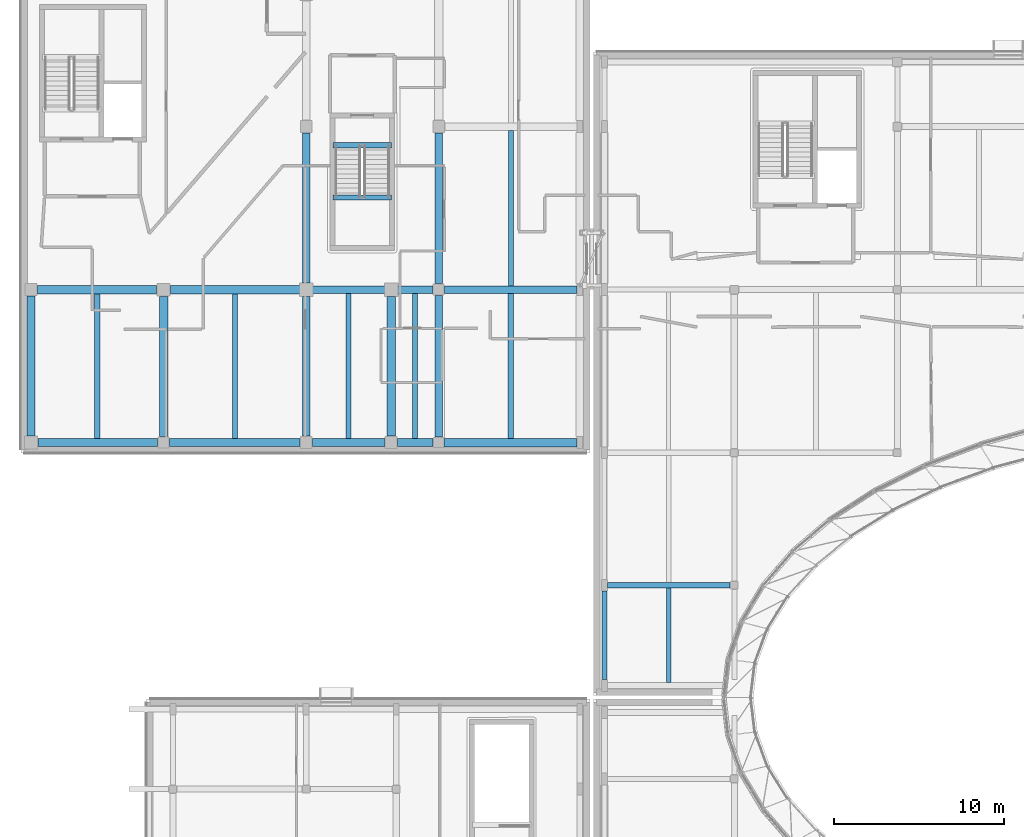
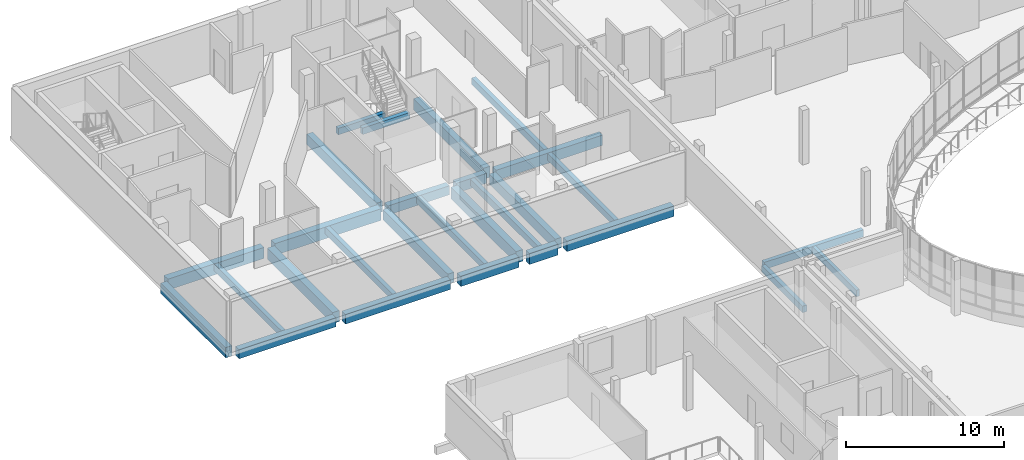
# One storey, part 19 of 73: 28 beams.
"""IFC4 building model written with IfcOpenShell, lengths in metres."""

from ifc_helpers import new_model, si_unit, direction, frame, origin, origin_2d, place, context, subcontext, project, spatial, rectangle, extrude, material, material_profile, profile_set, type_object, element, save


model = new_model("IFC4")

# Units and contexts
model_context = context("Model", 3, precision=1e-05, world=origin(), true_north=direction((0.0, 1.0)))
body_context = subcontext(model_context, "Body", "Model", "MODEL_VIEW")
ifc_project = project(units=[si_unit("LENGTHUNIT", "METRE"), si_unit("AREAUNIT", "SQUARE_METRE"), si_unit("VOLUMEUNIT", "CUBIC_METRE"), si_unit("PLANEANGLEUNIT", "RADIAN"), si_unit("MASSUNIT", "GRAM", prefix="KILO")], contexts=[model_context])

# Site, building, storey
site_placement = place(None, origin())
site = spatial("IfcSite", under=ifc_project, at=site_placement, CompositionType="ELEMENT")
building_placement = place(site_placement, origin())
building = spatial("IfcBuilding", under=site, at=building_placement, Name="Mzevani Central Library", CompositionType="ELEMENT")
storey_placement = place(building_placement, frame((0.0, 0.0, 9.60009765625)))
storey = spatial("IfcBuildingStorey", under=building, at=storey_placement, Name="L02", CompositionType="ELEMENT", Elevation=9.60009765625)

# Beams
ifc_material_1 = material(Name="Concrete C35/45", Category="concrete")
ifc_material_profile_1 = material_profile(ifc_material_1, rectangle(XDim=0.300048828125, YDim=0.5, at=origin_2d()), Name="RC B300x500")
ifc_profile_set_1 = profile_set([ifc_material_profile_1], Name="Concrete C35/45")
beam_type_1 = type_object("IfcBeamType", Name="Beam RC 300x500", PredefinedType="BEAM", material=ifc_profile_set_1)
beam_1_placement = place(storey_placement, frame((46.75, 77.050048828125, -0.530029296875), z_axis=(0.0, 1.0, 0.0), x_axis=(-1.0, 0.0, 0.0)))
element("IfcBeam", 1, at=beam_1_placement, inside=storey, type_object=beam_type_1, Name="L02 V3 Frame Beam B-01 (588)", PredefinedType="BEAM", context=body_context, shape_type="SweptSolid", body=[
    extrude(rectangle(XDim=0.300048828125, YDim=0.5, at=origin_2d()), origin(), (0.0, 0.0, 1.0), 5.199951171875),
])
for number, where, z_axis, x_axis, name in (
    (2, (30.780029296875, 105.419921875, 1.64990234375), (1.0, 0.0, 0.0), (0.0, 1.0, 0.0), "L02 Core C2B Stacks East Escape Stair Stair Landing Beam 1"),
    (3, (30.780029296875, 108.5, -0.25), (1.0, 0.0, 0.0), (0.0, 1.0, 0.0), "L02 Core C2B Stacks East Escape Stair Stair Opening Trimmer Beam"),
):
    element("IfcBeam", number, at=place(storey_placement, frame(where, z_axis=z_axis, x_axis=x_axis)), inside=storey, type_object=beam_type_1, Name=name, PredefinedType="BEAM", context=body_context, shape_type="SweptSolid", body=[
        extrude(rectangle(XDim=0.300048828125, YDim=0.5, at=origin_2d()), origin(), (0.0, 0.0, 1.0), 3.43994140625),
    ])
ifc_material_profile_2 = material_profile(ifc_material_1, rectangle(XDim=0.300048828125, YDim=0.550048828125, at=origin_2d()), Name="RC B300x550")
ifc_profile_set_2 = profile_set([ifc_material_profile_2], Name="Concrete C35/45")
beam_type_2 = type_object("IfcBeamType", Name="Beam RC 300x550", PredefinedType="BEAM", material=ifc_profile_set_2)
beam_2_placement = place(storey_placement, frame((46.925048828125, 82.60009765625, -0.55517578125), z_axis=(1.0, 0.0, 0.0), x_axis=(0.0, 1.0, 0.0)))
element("IfcBeam", 4, at=beam_2_placement, inside=storey, type_object=beam_type_2, Name="L02 V3 Girder B-02 (557)", PredefinedType="BEAM", context=body_context, shape_type="SweptSolid", body=[
    extrude(rectangle(XDim=0.300048828125, YDim=0.550048828125, at=origin_2d()), origin(), (0.0, 0.0, 1.0), 7.224853515625),
])
ifc_material_profile_3 = material_profile(ifc_material_1, rectangle(XDim=0.25, YDim=0.5, at=origin_2d()), Name="RC J250x500")
ifc_profile_set_3 = profile_set([ifc_material_profile_3], Name="Concrete C35/45")
beam_type_3 = type_object("IfcBeamType", Name="Floor Joist RC 250x500", PredefinedType="JOIST", material=ifc_profile_set_3)
beam_3_placement = place(storey_placement, frame((50.53759765625, 76.875, -0.530029296875), z_axis=(0.0, 1.0, 0.0), x_axis=(-1.0, 0.0, 0.0)))
element("IfcBeam", 5, at=beam_3_placement, inside=storey, type_object=beam_type_3, Name="L02 V3 Floor Joist BJ-02 (619)", PredefinedType="JOIST", context=body_context, shape_type="SweptSolid", body=[
    extrude(rectangle(XDim=0.25, YDim=0.5, at=origin_2d()), origin(), (0.0, 0.0, 1.0), 5.574951171875),
])
ifc_material_2 = material(Name="Concrete C40/50", Category="concrete")
ifc_material_profile_4 = material_profile(ifc_material_2, rectangle(XDim=0.449951171875, YDim=0.699951171875, at=origin_2d()), Name="RC B450x700")
ifc_profile_set_4 = profile_set([ifc_material_profile_4], Name="Concrete C40/50")
beam_type_4 = type_object("IfcBeamType", Name="Stack Girder RC 450x700", PredefinedType="BEAM", material=ifc_profile_set_4)
beam_4_placement = place(storey_placement, frame((13.39990234375, 91.0, -0.670166015625), z_axis=(1.0, 0.0, 0.0), x_axis=(0.0, 1.0, 0.0)))
element("IfcBeam", 6, at=beam_4_placement, inside=storey, type_object=beam_type_4, Name="L02 V2 Girder BG-01 (287)", PredefinedType="BEAM", context=body_context, shape_type="SweptSolid", body=[
    extrude(rectangle(XDim=0.449951171875, YDim=0.699951171875, at=origin_2d()), origin(), (0.0, 0.0, 1.0), 7.050048828125),
])
beam_5_placement = place(storey_placement, frame((29.449951171875, 100.0, -0.670166015625), z_axis=(1.0, 0.0, 0.0), x_axis=(0.0, 1.0, 0.0)))
element("IfcBeam", 7, at=beam_5_placement, inside=storey, type_object=beam_type_4, Name="L02 V2 Girder BG-01 (294)", PredefinedType="BEAM", context=body_context, shape_type="SweptSolid", body=[
    extrude(rectangle(XDim=0.449951171875, YDim=0.699951171875, at=origin_2d()), origin(), (0.0, 0.0, 1.0), 4.5),
])
ifc_material_profile_5 = material_profile(ifc_material_2, rectangle(XDim=0.449951171875, YDim=0.75, at=origin_2d()), Name="RC B450x750")
ifc_profile_set_5 = profile_set([ifc_material_profile_5], Name="Concrete C40/50")
beam_type_5 = type_object("IfcBeamType", Name="Stack Girder RC 450x750", PredefinedType="BEAM", material=ifc_profile_set_5)
beam_6_placement = place(storey_placement, frame((21.14990234375, 91.0, -0.695068359375), z_axis=(1.0, 0.0, 0.0), x_axis=(0.0, 1.0, 0.0)))
element("IfcBeam", 8, at=beam_6_placement, inside=storey, type_object=beam_type_5, Name="L02 V2 Girder BG-02 (288)", PredefinedType="BEAM", context=body_context, shape_type="SweptSolid", body=[
    extrude(rectangle(XDim=0.449951171875, YDim=0.75, at=origin_2d()), origin(), (0.0, 0.0, 1.0), 7.675048828125),
])
beam_7_placement = place(storey_placement, frame((34.449951171875, 100.0, -0.695068359375), z_axis=(1.0, 0.0, 0.0), x_axis=(0.0, 1.0, 0.0)))
element("IfcBeam", 9, at=beam_7_placement, inside=storey, type_object=beam_type_5, Name="L02 V2 Girder BG-02 (295)", PredefinedType="BEAM", context=body_context, shape_type="SweptSolid", body=[
    extrude(rectangle(XDim=0.449951171875, YDim=0.75, at=origin_2d()), origin(), (0.0, 0.0, 1.0), 2.199951171875),
])
beam_8_placement = place(storey_placement, frame((29.199951171875, 91.375, -0.695068359375), z_axis=(0.0, 1.0, 0.0), x_axis=(-1.0, 0.0, 0.0)))
element("IfcBeam", 10, at=beam_8_placement, inside=storey, type_object=beam_type_5, Name="L02 V2 Frame Beam BG-02 (309)", PredefinedType="BEAM", context=body_context, shape_type="SweptSolid", body=[
    extrude(rectangle(XDim=0.449951171875, YDim=0.75, at=origin_2d()), origin(), (0.0, 0.0, 1.0), 8.22509765625),
])
ifc_material_profile_6 = material_profile(ifc_material_2, rectangle(XDim=0.449951171875, YDim=0.800048828125, at=origin_2d()), Name="RC B450x800")
ifc_profile_set_6 = profile_set([ifc_material_profile_6], Name="Concrete C40/50")
beam_type_6 = type_object("IfcBeamType", Name="Stack Girder RC 450x800", PredefinedType="BEAM", material=ifc_profile_set_6)
beam_9_placement = place(storey_placement, frame((29.574951171875, 91.0, -0.72021484375), z_axis=(1.0, 0.0, 0.0), x_axis=(0.0, 1.0, 0.0)))
element("IfcBeam", 11, at=beam_9_placement, inside=storey, type_object=beam_type_6, Name="L02 V2 Girder BG-03 (289)", PredefinedType="BEAM", context=body_context, shape_type="SweptSolid", body=[
    extrude(rectangle(XDim=0.449951171875, YDim=0.800048828125, at=origin_2d()), origin(), (0.0, 0.0, 1.0), 4.25),
])
beam_10_placement = place(storey_placement, frame((37.35009765625, 100.0, -0.72021484375), z_axis=(1.0, 0.0, 0.0), x_axis=(0.0, 1.0, 0.0)))
element("IfcBeam", 12, at=beam_10_placement, inside=storey, type_object=beam_type_6, Name="L02 V2 Girder BG-03 (296)", PredefinedType="BEAM", context=body_context, shape_type="SweptSolid", body=[
    extrude(rectangle(XDim=0.449951171875, YDim=0.800048828125, at=origin_2d()), origin(), (0.0, 0.0, 1.0), 7.77490234375),
])
beam_11_placement = place(storey_placement, frame((13.0, 91.39990234375, -0.72021484375), z_axis=(0.0, 1.0, 0.0), x_axis=(-1.0, 0.0, 0.0)))
element("IfcBeam", 13, at=beam_11_placement, inside=storey, type_object=beam_type_6, Name="L02 V2 Frame Beam BG-03 (303)", PredefinedType="BEAM", context=body_context, shape_type="SweptSolid", body=[
    extrude(rectangle(XDim=0.449951171875, YDim=0.800048828125, at=origin_2d()), origin(), (0.0, 0.0, 1.0), 8.22509765625),
])
beam_12_placement = place(storey_placement, frame((29.199951171875, 100.39990234375, -0.72021484375), z_axis=(0.0, 1.0, 0.0), x_axis=(-1.0, 0.0, 0.0)))
element("IfcBeam", 14, at=beam_12_placement, inside=storey, type_object=beam_type_6, Name="L02 V2 Frame Beam BG-03 (310)", PredefinedType="BEAM", context=body_context, shape_type="SweptSolid", body=[
    extrude(rectangle(XDim=0.449951171875, YDim=0.800048828125, at=origin_2d()), origin(), (0.0, 0.0, 1.0), 8.8251953125),
])
beam_13_placement = place(storey_placement, frame((37.0, 91.324951171875, -0.72021484375), z_axis=(0.0, 1.0, 0.0), x_axis=(-1.0, 0.0, 0.0)))
element("IfcBeam", 15, at=beam_13_placement, inside=storey, type_object=beam_type_6, Name="L02 V2 Frame Beam BG-03 (317)", PredefinedType="BEAM", context=body_context, shape_type="SweptSolid", body=[
    extrude(rectangle(XDim=0.449951171875, YDim=0.800048828125, at=origin_2d()), origin(), (0.0, 0.0, 1.0), 8.324951171875),
])
ifc_material_profile_7 = material_profile(ifc_material_2, rectangle(XDim=0.449951171875, YDim=0.85009765625, at=origin_2d()), Name="RC B450x850")
ifc_profile_set_7 = profile_set([ifc_material_profile_7], Name="Concrete C40/50")
beam_type_7 = type_object("IfcBeamType", Name="Stack Girder RC 450x850", PredefinedType="BEAM", material=ifc_profile_set_7)
beam_14_placement = place(storey_placement, frame((34.574951171875, 91.0, -0.7451171875), z_axis=(1.0, 0.0, 0.0), x_axis=(0.0, 1.0, 0.0)))
element("IfcBeam", 16, at=beam_14_placement, inside=storey, type_object=beam_type_7, Name="L02 V2 Girder BG-04 (290)", PredefinedType="BEAM", context=body_context, shape_type="SweptSolid", body=[
    extrude(rectangle(XDim=0.449951171875, YDim=0.85009765625, at=origin_2d()), origin(), (0.0, 0.0, 1.0), 2.10009765625),
])
beam_15_placement = place(storey_placement, frame((37.0, 100.35009765625, -0.7451171875), z_axis=(0.0, 1.0, 0.0), x_axis=(-1.0, 0.0, 0.0)))
element("IfcBeam", 17, at=beam_15_placement, inside=storey, type_object=beam_type_7, Name="L02 V2 Frame Beam BG-04 (318)", PredefinedType="BEAM", context=body_context, shape_type="SweptSolid", body=[
    extrude(rectangle(XDim=0.449951171875, YDim=0.85009765625, at=origin_2d()), origin(), (0.0, 0.0, 1.0), 8.875),
])
ifc_material_profile_8 = material_profile(ifc_material_2, rectangle(XDim=0.5, YDim=0.800048828125, at=origin_2d()), Name="RC B500x800")
ifc_profile_set_8 = profile_set([ifc_material_profile_8], Name="Concrete C40/50")
beam_type_8 = type_object("IfcBeamType", Name="Stack Girder RC 500x800", PredefinedType="BEAM", material=ifc_profile_set_8)
beam_16_placement = place(storey_placement, frame((37.324951171875, 91.0, -0.72021484375), z_axis=(1.0, 0.0, 0.0), x_axis=(0.0, 1.0, 0.0)))
element("IfcBeam", 18, at=beam_16_placement, inside=storey, type_object=beam_type_8, Name="L02 V2 Girder BG-05 (291)", PredefinedType="BEAM", context=body_context, shape_type="SweptSolid", body=[
    extrude(rectangle(XDim=0.5, YDim=0.800048828125, at=origin_2d()), origin(), (0.0, 0.0, 1.0), 7.800048828125),
])
ifc_material_profile_9 = material_profile(ifc_material_2, rectangle(XDim=0.5, YDim=0.85009765625, at=origin_2d()), Name="RC B500x850")
ifc_profile_set_9 = profile_set([ifc_material_profile_9], Name="Concrete C40/50")
beam_type_9 = type_object("IfcBeamType", Name="Stack Girder RC 500x850", PredefinedType="BEAM", material=ifc_profile_set_9)
beam_17_placement = place(storey_placement, frame((13.375, 100.0, -0.7451171875), z_axis=(1.0, 0.0, 0.0), x_axis=(0.0, 1.0, 0.0)))
element("IfcBeam", 19, at=beam_17_placement, inside=storey, type_object=beam_type_9, Name="L02 V2 Girder BG-06 (292)", PredefinedType="BEAM", context=body_context, shape_type="SweptSolid", body=[
    extrude(rectangle(XDim=0.5, YDim=0.85009765625, at=origin_2d()), origin(), (0.0, 0.0, 1.0), 7.02490234375),
])
beam_18_placement = place(storey_placement, frame((20.800048828125, 91.35009765625, -0.7451171875), z_axis=(0.0, 1.0, 0.0), x_axis=(-1.0, 0.0, 0.0)))
element("IfcBeam", 20, at=beam_18_placement, inside=storey, type_object=beam_type_9, Name="L02 V2 Frame Beam BG-06 (306)", PredefinedType="BEAM", context=body_context, shape_type="SweptSolid", body=[
    extrude(rectangle(XDim=0.5, YDim=0.85009765625, at=origin_2d()), origin(), (0.0, 0.0, 1.0), 8.25),
])
ifc_material_profile_10 = material_profile(ifc_material_2, rectangle(XDim=0.5, YDim=0.89990234375, at=origin_2d()), Name="RC B500x900")
ifc_profile_set_10 = profile_set([ifc_material_profile_10], Name="Concrete C40/50")
beam_type_10 = type_object("IfcBeamType", Name="Stack Girder RC 500x900", PredefinedType="BEAM", material=ifc_profile_set_10)
beam_19_placement = place(storey_placement, frame((21.199951171875, 100.0, -0.77001953125), z_axis=(1.0, 0.0, 0.0), x_axis=(0.0, 1.0, 0.0)))
element("IfcBeam", 21, at=beam_19_placement, inside=storey, type_object=beam_type_10, Name="L02 V2 Girder BG-07 (293)", PredefinedType="BEAM", context=body_context, shape_type="SweptSolid", body=[
    extrude(rectangle(XDim=0.5, YDim=0.89990234375, at=origin_2d()), origin(), (0.0, 0.0, 1.0), 7.75),
])
beam_20_placement = place(storey_placement, frame((34.199951171875, 91.375, -0.77001953125), z_axis=(0.0, 1.0, 0.0), x_axis=(-1.0, 0.0, 0.0)))
element("IfcBeam", 22, at=beam_20_placement, inside=storey, type_object=beam_type_10, Name="L02 V2 Frame Beam BG-07 (314)", PredefinedType="BEAM", context=body_context, shape_type="SweptSolid", body=[
    extrude(rectangle(XDim=0.5, YDim=0.89990234375, at=origin_2d()), origin(), (0.0, 0.0, 1.0), 8.22509765625),
])
ifc_material_profile_11 = material_profile(ifc_material_2, rectangle(XDim=0.300048828125, YDim=0.52001953125, at=origin_2d()), Name="RC J300x520")
ifc_profile_set_11 = profile_set([ifc_material_profile_11], Name="Concrete C40/50")
beam_type_11 = type_object("IfcBeamType", Name="Stack Joist RC 300x520", PredefinedType="JOIST", material=ifc_profile_set_11)
for number, where, z_axis, x_axis, name in (
    (23, (16.89990234375, 91.22509765625, -0.580078125), (0.0, 1.0, 0.0), (-1.0, 0.0, 0.0), "L02 V2 Floor Joist BJ-04 (335)"),
    (24, (25.012451171875, 91.22509765625, -0.580078125), (0.0, 1.0, 0.0), (-1.0, 0.0, 0.0), "L02 V2 Floor Joist BJ-04 (336)"),
):
    element("IfcBeam", number, at=place(storey_placement, frame(where, z_axis=z_axis, x_axis=x_axis)), inside=storey, type_object=beam_type_11, Name=name, PredefinedType="JOIST", context=body_context, shape_type="SweptSolid", body=[
        extrude(rectangle(XDim=0.300048828125, YDim=0.52001953125, at=origin_2d()), origin(), (0.0, 0.0, 1.0), 8.52490234375),
    ])
for number, where, z_axis, x_axis, name in (
    (25, (31.699951171875, 91.22509765625, -0.580078125), (0.0, 1.0, 0.0), (-1.0, 0.0, 0.0), "L02 V2 Floor Joist BJ-04 (337)"),
    (26, (35.612548828125, 91.22509765625, -0.580078125), (0.0, 1.0, 0.0), (-1.0, 0.0, 0.0), "L02 V2 Floor Joist BJ-04 (338)"),
):
    element("IfcBeam", number, at=place(storey_placement, frame(where, z_axis=z_axis, x_axis=x_axis)), inside=storey, type_object=beam_type_11, Name=name, PredefinedType="JOIST", context=body_context, shape_type="SweptSolid", body=[
        extrude(rectangle(XDim=0.300048828125, YDim=0.52001953125, at=origin_2d()), origin(), (0.0, 0.0, 1.0), 8.5498046875),
    ])
beam_21_placement = place(storey_placement, frame((41.237548828125, 91.25, -0.580078125), z_axis=(0.0, 1.0, 0.0), x_axis=(-1.0, 0.0, 0.0)))
element("IfcBeam", 27, at=beam_21_placement, inside=storey, type_object=beam_type_11, Name="L02 V2 Floor Joist BJ-04 (339)", PredefinedType="JOIST", context=body_context, shape_type="SweptSolid", body=[
    extrude(rectangle(XDim=0.300048828125, YDim=0.52001953125, at=origin_2d()), origin(), (0.0, 0.0, 1.0), 8.52490234375),
])
beam_22_placement = place(storey_placement, frame((41.25, 100.22509765625, -0.580078125), z_axis=(0.0, 1.0, 0.0), x_axis=(-1.0, 0.0, 0.0)))
element("IfcBeam", 28, at=beam_22_placement, inside=storey, type_object=beam_type_11, Name="L02 V2 Floor Joist BJ-04 (340)", PredefinedType="JOIST", context=body_context, shape_type="SweptSolid", body=[
    extrude(rectangle(XDim=0.300048828125, YDim=0.52001953125, at=origin_2d()), origin(), (0.0, 0.0, 1.0), 9.14990234375),
])

save(model, "model.ifc")
